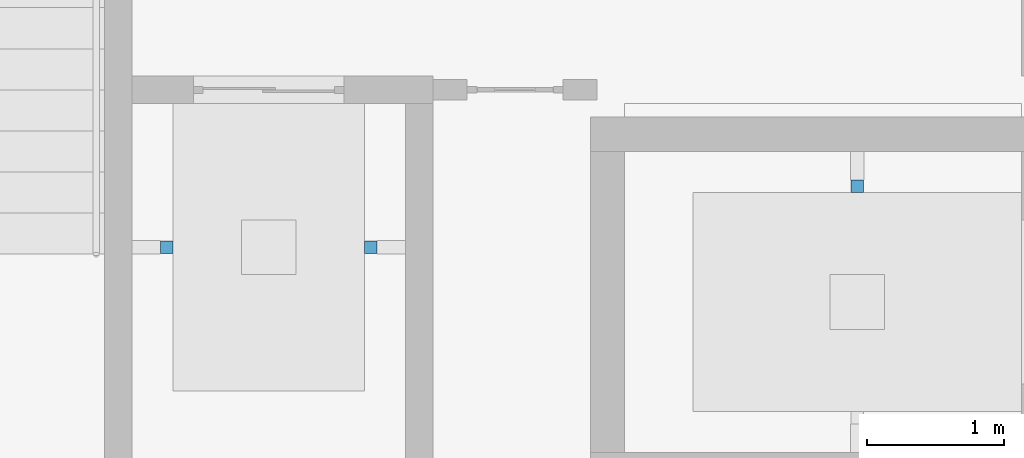
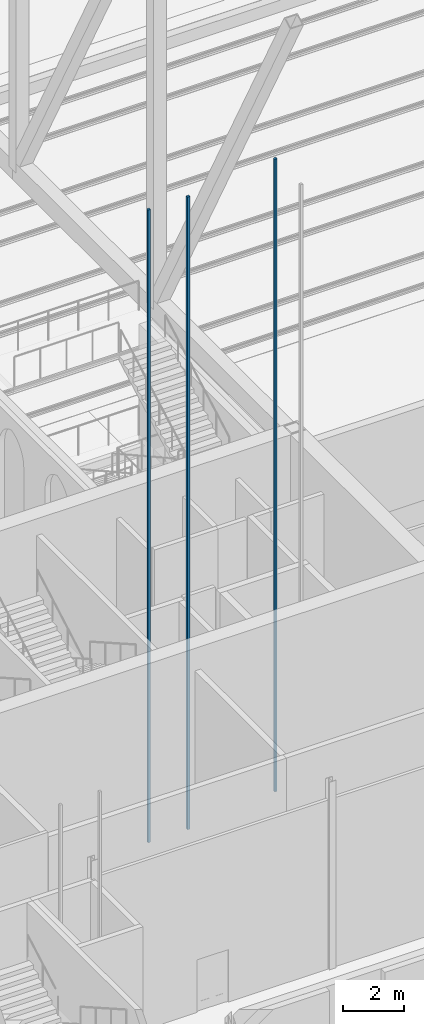
# One storey, part 143 of 250: 3 discrete accessories.
"""IFC4 building model written with IfcOpenShell, lengths in metres."""

from ifc_helpers import new_model, si_unit, direction, frame, origin, origin_2d, place, context, subcontext, project, spatial, rectangle, extrude, material, type_object, element, save


model = new_model("IFC4")

# Units and contexts
model_context = context("Model", 3, precision=1e-05, world=origin(), true_north=direction((0.0, 1.0)))
body_context = subcontext(model_context, "Body", "Model", "MODEL_VIEW")
ifc_project = project(units=[si_unit("LENGTHUNIT", "METRE"), si_unit("AREAUNIT", "SQUARE_METRE"), si_unit("VOLUMEUNIT", "CUBIC_METRE"), si_unit("PLANEANGLEUNIT", "RADIAN"), si_unit("MASSUNIT", "GRAM", prefix="KILO")], contexts=[model_context])

# Site, building, storey
site_placement = place(None, origin())
site = spatial("IfcSite", under=ifc_project, at=site_placement, CompositionType="ELEMENT")
building_placement = place(site_placement, origin())
building = spatial("IfcBuilding", under=site, at=building_placement, Name="Baradari Gate Terminus", CompositionType="ELEMENT")
storey_placement = place(building_placement, origin())
storey = spatial("IfcBuildingStorey", under=building, at=storey_placement, Name="L00", CompositionType="ELEMENT", Elevation=0.0)

# Discrete accessories
ifc_material = material(Name="Steel S355", Category="steel")
discrete_accessory_type = type_object("IfcDiscreteAccessoryType", Name="Lift guide rail GR-L1 90x90", PredefinedType="BRACKET", material=ifc_material)
for number, where, z_axis, x_axis, name in (
    (1, (80.554931640625, 29.14990234375, -1.60009765625), (0.0, 0.0, 1.0), (1.0, 0.0, 0.0), "Lift guide rail LGS1 1"),
    (2, (82.044921875, 29.14990234375, -1.60009765625), (0.0, 0.0, 1.0), (1.0, 0.0, 0.0), "Lift guide rail LGS1 2"),
    (3, (85.60009765625, 29.594970703125, -1.60009765625), (0.0, 0.0, 1.0), (1.0, 0.0, 0.0), "Lift guide rail LGS2 2"),
):
    element("IfcDiscreteAccessory", number, at=place(storey_placement, frame(where, z_axis=z_axis, x_axis=x_axis)), inside=storey, type_object=discrete_accessory_type, Name=name, PredefinedType="BRACKET", context=body_context, shape_type="SweptSolid", body=[
        extrude(rectangle(XDim=0.090087890625, YDim=0.090087890625, at=origin_2d()), origin(), (0.0, 0.0, 1.0), 25.300048828125),
    ])

save(model, "model.ifc")
